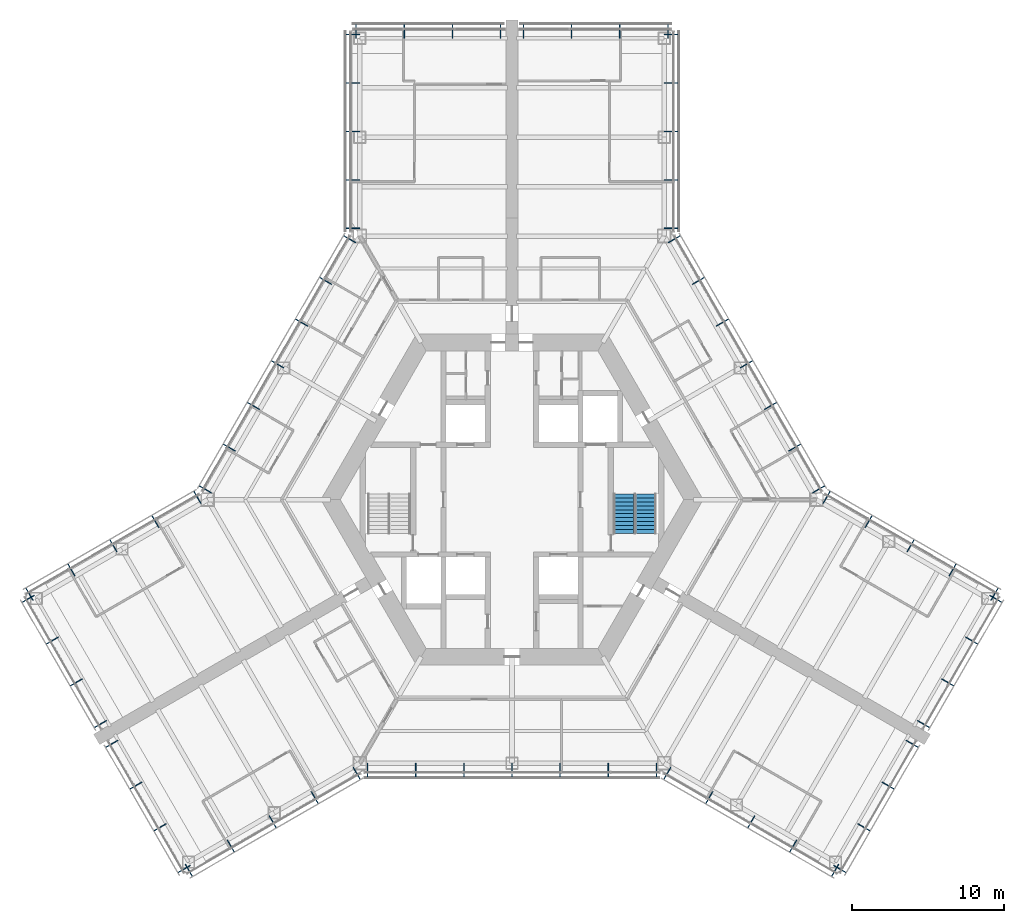
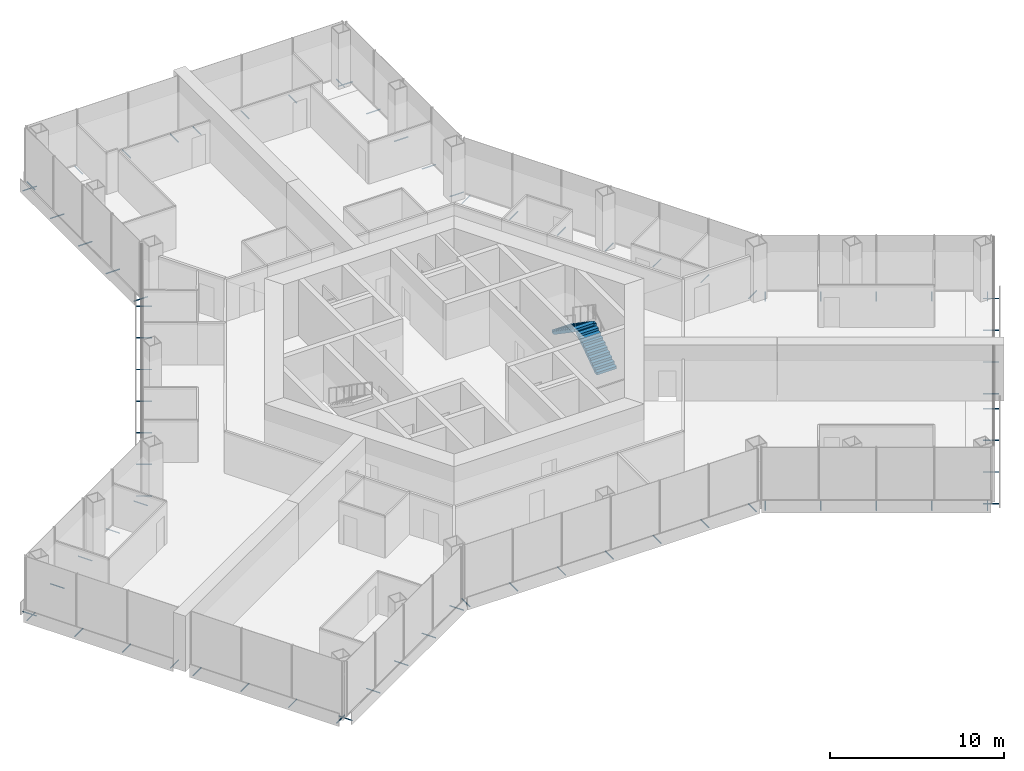
# One storey, part 16 of 18: 75 discrete accessories, 2 stair flights, 1 element without a shape of its own.
"""IFC4 building model written with IfcOpenShell, lengths in metres."""

from ifc_helpers import new_model, si_unit, direction, frame, origin, origin_2d, place, context, subcontext, project, spatial, polyline, hollow_circle, outline, extrude, material, material_profile, profile_set, type_object, element, aggregate, save


model = new_model("IFC4")

# Units and contexts
model_context = context("Model", 3, precision=1e-05, world=origin(), true_north=direction((0.0, 1.0)))
body_context = subcontext(model_context, "Body", "Model", "MODEL_VIEW")
ifc_project = project(units=[si_unit("LENGTHUNIT", "METRE"), si_unit("AREAUNIT", "SQUARE_METRE"), si_unit("VOLUMEUNIT", "CUBIC_METRE"), si_unit("PLANEANGLEUNIT", "RADIAN"), si_unit("MASSUNIT", "GRAM", prefix="KILO")], contexts=[model_context])

# Site, building, storey
site_placement = place(None, origin())
site = spatial("IfcSite", under=ifc_project, at=site_placement, CompositionType="ELEMENT")
building_placement = place(site_placement, origin())
building = spatial("IfcBuilding", under=site, at=building_placement, Name="Kasaneha Research Tower", CompositionType="ELEMENT")
storey_placement = place(building_placement, frame((0.0, 0.0, 69.0)))
storey = spatial("IfcBuildingStorey", under=building, at=storey_placement, Name="L17", CompositionType="ELEMENT", Elevation=69.0)

# Stair, stair flights
ifc_material_1 = material(Name="Concrete Fc24", Category="concrete")
stair_type = type_object("IfcStairType", Name="Half-turn stair 22 risers", PredefinedType="HALF_TURN_STAIR", material=ifc_material_1)
stair_placement = place(storey_placement, origin())
stair = element("IfcStair", 1, at=stair_placement, inside=storey, type_object=stair_type, Name="Stair 1 L17", PredefinedType="HALF_TURN_STAIR")
ifc_material_2 = material(Name="Concrete Fc24", Category="concrete")
stair_flight_type = type_object("IfcStairFlightType", Name="Stair flight 11 risers 177.3", PredefinedType="STRAIGHT", material=ifc_material_2)
stair_flight_1_placement = place(storey_placement, frame((8.824951171875, -2.22509765625, 0.0), z_axis=(0.0, 0.0, 1.0), x_axis=(0.0, 1.0, 0.0)))
stair_flight_1 = element("IfcStairFlight", 2, at=stair_flight_1_placement, type_object=stair_flight_type, Name="ST1-22R flight 1", NumberOfRisers=11, NumberOfTreads=10, PredefinedType="STRAIGHT", RiserHeight=0.177272727, TreadLength=0.26, context=body_context, shape_type="SweptSolid", body=[
    extrude(outline(polyline([(0.0, 0.0), (0.0, 0.17724609375), (0.260009765625, 0.17724609375), (0.260009765625, 0.3544921875), (0.52001953125, 0.3544921875), (0.52001953125, 0.53173828125), (0.780029296875, 0.53173828125), (0.780029296875, 0.708984375), (1.0400390625, 0.708984375), (1.0400390625, 0.886474609375), (1.300048828125, 0.886474609375), (1.300048828125, 1.063720703125), (1.56005859375, 1.063720703125), (1.56005859375, 1.240966796875), (1.820068359375, 1.240966796875), (1.820068359375, 1.418212890625), (2.080078125, 1.418212890625), (2.080078125, 1.595458984375), (2.340087890625, 1.595458984375), (2.340087890625, 1.772705078125), (2.60009765625, 1.772705078125), (2.60009765625, 1.949951171875), (2.60009765625, 1.59130859375), (0.26611328125, 0.0), (0.0, 0.0)])), frame((0.0, 0.64990234375, 0.0), z_axis=(0.0, -1.0, 0.0), x_axis=(1.0, 0.0, 0.0)), (0.0, 0.0, 1.0), 1.300048828125),
])
stair_flight_2_placement = place(storey_placement, frame((7.324951171875, 0.375, 1.949951171875), z_axis=(0.0, 0.0, 1.0), x_axis=(0.0, -1.0, 0.0)))
stair_flight_2 = element("IfcStairFlight", 3, at=stair_flight_2_placement, type_object=stair_flight_type, Name="ST1-22R flight 2", NumberOfRisers=11, NumberOfTreads=10, PredefinedType="STRAIGHT", RiserHeight=0.177272727, TreadLength=0.26, context=body_context, shape_type="SweptSolid", body=[
    extrude(outline(polyline([(0.0, 0.0), (0.0, 0.17724609375), (0.260009765625, 0.17724609375), (0.260009765625, 0.3544921875), (0.52001953125, 0.3544921875), (0.52001953125, 0.53173828125), (0.780029296875, 0.53173828125), (0.780029296875, 0.708984375), (1.0400390625, 0.708984375), (1.0400390625, 0.886474609375), (1.300048828125, 0.886474609375), (1.300048828125, 1.063720703125), (1.56005859375, 1.063720703125), (1.56005859375, 1.240966796875), (1.820068359375, 1.240966796875), (1.820068359375, 1.418212890625), (2.080078125, 1.418212890625), (2.080078125, 1.595458984375), (2.340087890625, 1.595458984375), (2.340087890625, 1.772705078125), (2.60009765625, 1.772705078125), (2.60009765625, 1.949951171875), (2.60009765625, 1.59130859375), (0.26611328125, 0.0), (0.0, 0.0)])), frame((0.0, 0.64990234375, 0.0), z_axis=(0.0, -1.0, 0.0), x_axis=(1.0, 0.0, 0.0)), (0.0, 0.0, 1.0), 1.300048828125),
])
aggregate(stair, [stair_flight_1, stair_flight_2])

# Discrete accessories
ifc_material_3 = material(Name="Steel STK400", Category="steel")
ifc_material_profile = material_profile(ifc_material_3, hollow_circle(Radius=0.0380859375, WallThickness=0.00390625, at=origin_2d()), Name="CHS-76.3x4.0")
ifc_profile_set = profile_set([ifc_material_profile], Name="Steel STK400")
discrete_accessory_type = type_object("IfcDiscreteAccessoryType", Name="Screen bracket CHS-76.3x4.0", PredefinedType="BRACKET", material=ifc_profile_set)
discrete_accessory_1_placement = place(storey_placement, frame((-21.474853515625, -23.945556640625, -0.300048828125), z_axis=(0.500021113727, -0.866013213425, 0.0), x_axis=(0.866013213425, 0.500021113727, 0.0)))
element("IfcDiscreteAccessory", 4, at=discrete_accessory_1_placement, inside=storey, type_object=discrete_accessory_type, Name="Screen bracket 1", PredefinedType="BRACKET", context=body_context, shape_type="SweptSolid", body=[
    extrude(hollow_circle(Radius=0.0380859375, WallThickness=0.00390625, at=origin_2d()), origin(), (0.0, 0.0, 1.0), 0.919921875),
])
discrete_accessory_2_placement = place(storey_placement, frame((-18.716796875, -22.35302734375, -0.300048828125), z_axis=(0.500105201737, -0.865964657013, 0.0), x_axis=(0.865964657013, 0.500105201737, 0.0)))
element("IfcDiscreteAccessory", 5, at=discrete_accessory_2_placement, inside=storey, type_object=discrete_accessory_type, Name="Screen bracket 2", PredefinedType="BRACKET", context=body_context, shape_type="SweptSolid", body=[
    extrude(hollow_circle(Radius=0.0380859375, WallThickness=0.00390625, at=origin_2d()), origin(), (0.0, 0.0, 1.0), 0.920166015625),
])
discrete_accessory_3_placement = place(storey_placement, frame((-15.95849609375, -20.7607421875, -0.300048828125), z_axis=(0.500021113727, -0.866013213425, 0.0), x_axis=(0.866013213425, 0.500021113727, 0.0)))
element("IfcDiscreteAccessory", 6, at=discrete_accessory_3_placement, inside=storey, type_object=discrete_accessory_type, Name="Screen bracket 3", PredefinedType="BRACKET", context=body_context, shape_type="SweptSolid", body=[
    extrude(hollow_circle(Radius=0.0380859375, WallThickness=0.00390625, at=origin_2d()), origin(), (0.0, 0.0, 1.0), 0.919921875),
])
discrete_accessory_4_placement = place(storey_placement, frame((-13.200439453125, -19.168212890625, -0.300048828125), z_axis=(0.499906209203, -0.866079547155, 0.0), x_axis=(0.866079547155, 0.499906209203, 0.0)))
element("IfcDiscreteAccessory", 7, at=discrete_accessory_4_placement, inside=storey, type_object=discrete_accessory_type, Name="Screen bracket 4", PredefinedType="BRACKET", context=body_context, shape_type="SweptSolid", body=[
    extrude(hollow_circle(Radius=0.0380859375, WallThickness=0.00390625, at=origin_2d()), origin(), (0.0, 0.0, 1.0), 0.920166015625),
])
for number, where, z_axis, x_axis, name in (
    (8, (-10.4423828125, -17.575927734375, -0.300048828125), (0.500021113727, -0.866013213425, 0.0), (0.866013213425, 0.500021113727, 0.0), "Screen bracket 5"),
    (9, (-9.4892578125, -17.320556640625, -0.300048828125), (0.0, -1.0, 0.0), (1.0, 0.0, 0.0), "Screen bracket 1"),
    (10, (-6.326171875, -17.320556640625, -0.300048828125), (0.0, -1.0, 0.0), (1.0, 0.0, 0.0), "Screen bracket 2"),
    (11, (-3.1630859375, -17.320556640625, -0.300048828125), (0.0, -1.0, 0.0), (1.0, 0.0, 0.0), "Screen bracket 3"),
    (12, (0.0, -17.320556640625, -0.300048828125), (0.0, -1.0, 0.0), (1.0, 0.0, 0.0), "Screen bracket 4"),
    (13, (3.1630859375, -17.320556640625, -0.300048828125), (0.0, -1.0, 0.0), (1.0, 0.0, 0.0), "Screen bracket 5"),
    (14, (6.326171875, -17.320556640625, -0.300048828125), (0.0, -1.0, 0.0), (1.0, 0.0, 0.0), "Screen bracket 6"),
    (15, (9.4892578125, -17.320556640625, -0.300048828125), (0.0, -1.0, 0.0), (1.0, 0.0, 0.0), "Screen bracket 7"),
    (16, (10.4423828125, -17.575927734375, -0.300048828125), (-0.500021113727, -0.866013213425, 0.0), (0.866013213425, -0.500021113727, 0.0), "Screen bracket 1"),
):
    element("IfcDiscreteAccessory", number, at=place(storey_placement, frame(where, z_axis=z_axis, x_axis=x_axis)), inside=storey, type_object=discrete_accessory_type, Name=name, PredefinedType="BRACKET", context=body_context, shape_type="SweptSolid", body=[
        extrude(hollow_circle(Radius=0.0380859375, WallThickness=0.00390625, at=origin_2d()), origin(), (0.0, 0.0, 1.0), 0.919921875),
    ])
discrete_accessory_5_placement = place(storey_placement, frame((13.200439453125, -19.168212890625, -0.300048828125), z_axis=(-0.499906209203, -0.866079547155, 0.0), x_axis=(0.866079547155, -0.499906209203, 0.0)))
element("IfcDiscreteAccessory", 17, at=discrete_accessory_5_placement, inside=storey, type_object=discrete_accessory_type, Name="Screen bracket 2", PredefinedType="BRACKET", context=body_context, shape_type="SweptSolid", body=[
    extrude(hollow_circle(Radius=0.0380859375, WallThickness=0.00390625, at=origin_2d()), origin(), (0.0, 0.0, 1.0), 0.920166015625),
])
discrete_accessory_6_placement = place(storey_placement, frame((15.95849609375, -20.7607421875, -0.300048828125), z_axis=(-0.500021113727, -0.866013213425, 0.0), x_axis=(0.866013213425, -0.500021113727, 0.0)))
element("IfcDiscreteAccessory", 18, at=discrete_accessory_6_placement, inside=storey, type_object=discrete_accessory_type, Name="Screen bracket 3", PredefinedType="BRACKET", context=body_context, shape_type="SweptSolid", body=[
    extrude(hollow_circle(Radius=0.0380859375, WallThickness=0.00390625, at=origin_2d()), origin(), (0.0, 0.0, 1.0), 0.919921875),
])
discrete_accessory_7_placement = place(storey_placement, frame((18.716796875, -22.35302734375, -0.300048828125), z_axis=(-0.500105201737, -0.865964657013, 0.0), x_axis=(0.865964657013, -0.500105201737, 0.0)))
element("IfcDiscreteAccessory", 19, at=discrete_accessory_7_placement, inside=storey, type_object=discrete_accessory_type, Name="Screen bracket 4", PredefinedType="BRACKET", context=body_context, shape_type="SweptSolid", body=[
    extrude(hollow_circle(Radius=0.0380859375, WallThickness=0.00390625, at=origin_2d()), origin(), (0.0, 0.0, 1.0), 0.920166015625),
])
discrete_accessory_8_placement = place(storey_placement, frame((21.474853515625, -23.945556640625, -0.300048828125), z_axis=(-0.500021113727, -0.866013213425, 0.0), x_axis=(0.866013213425, -0.500021113727, 0.0)))
element("IfcDiscreteAccessory", 20, at=discrete_accessory_8_placement, inside=storey, type_object=discrete_accessory_type, Name="Screen bracket 5", PredefinedType="BRACKET", context=body_context, shape_type="SweptSolid", body=[
    extrude(hollow_circle(Radius=0.0380859375, WallThickness=0.00390625, at=origin_2d()), origin(), (0.0, 0.0, 1.0), 0.919921875),
])
for number, where, z_axis, x_axis, name in (
    (21, (21.13330078125, -24.037109375, -0.300048828125), (0.866079547155, -0.499906209203, 0.0), (0.499906209203, 0.866079547155, 0.0), "Screen bracket 1"),
    (22, (22.716552734375, -21.294677734375, -0.300048828125), (0.866079547155, -0.499906209203, 0.0), (0.499906209203, 0.866079547155, 0.0), "Screen bracket 2"),
):
    element("IfcDiscreteAccessory", number, at=place(storey_placement, frame(where, z_axis=z_axis, x_axis=x_axis)), inside=storey, type_object=discrete_accessory_type, Name=name, PredefinedType="BRACKET", context=body_context, shape_type="SweptSolid", body=[
        extrude(hollow_circle(Radius=0.0380859375, WallThickness=0.00390625, at=origin_2d()), origin(), (0.0, 0.0, 1.0), 0.920166015625),
    ])
discrete_accessory_9_placement = place(storey_placement, frame((24.300048828125, -18.55224609375, -0.300048828125), z_axis=(0.866013213425, -0.500021113727, 0.0), x_axis=(0.500021113727, 0.866013213425, 0.0)))
element("IfcDiscreteAccessory", 23, at=discrete_accessory_9_placement, inside=storey, type_object=discrete_accessory_type, Name="Screen bracket 3", PredefinedType="BRACKET", context=body_context, shape_type="SweptSolid", body=[
    extrude(hollow_circle(Radius=0.0380859375, WallThickness=0.00390625, at=origin_2d()), origin(), (0.0, 0.0, 1.0), 0.919921875),
])
for number, where, z_axis, x_axis, name in (
    (24, (25.88330078125, -15.809814453125, -0.300048828125), (0.866079547155, -0.499906209203, 0.0), (0.499906209203, 0.866079547155, 0.0), "Screen bracket 4"),
    (25, (26.63330078125, -14.5107421875, -0.300048828125), (0.866079547155, -0.499906209203, 0.0), (0.499906209203, 0.866079547155, 0.0), "Screen bracket 1"),
    (26, (28.216552734375, -11.768310546875, -0.300048828125), (0.866079547155, -0.499906209203, 0.0), (0.499906209203, 0.866079547155, 0.0), "Screen bracket 2"),
):
    element("IfcDiscreteAccessory", number, at=place(storey_placement, frame(where, z_axis=z_axis, x_axis=x_axis)), inside=storey, type_object=discrete_accessory_type, Name=name, PredefinedType="BRACKET", context=body_context, shape_type="SweptSolid", body=[
        extrude(hollow_circle(Radius=0.0380859375, WallThickness=0.00390625, at=origin_2d()), origin(), (0.0, 0.0, 1.0), 0.920166015625),
    ])
discrete_accessory_10_placement = place(storey_placement, frame((29.800048828125, -9.02587890625, -0.300048828125), z_axis=(0.866013213425, -0.500021113727, 0.0), x_axis=(0.500021113727, 0.866013213425, 0.0)))
element("IfcDiscreteAccessory", 27, at=discrete_accessory_10_placement, inside=storey, type_object=discrete_accessory_type, Name="Screen bracket 3", PredefinedType="BRACKET", context=body_context, shape_type="SweptSolid", body=[
    extrude(hollow_circle(Radius=0.0380859375, WallThickness=0.00390625, at=origin_2d()), origin(), (0.0, 0.0, 1.0), 0.919921875),
])
discrete_accessory_11_placement = place(storey_placement, frame((31.38330078125, -6.283447265625, -0.300048828125), z_axis=(0.866079547155, -0.499906209203, 0.0), x_axis=(0.499906209203, 0.866079547155, 0.0)))
element("IfcDiscreteAccessory", 28, at=discrete_accessory_11_placement, inside=storey, type_object=discrete_accessory_type, Name="Screen bracket 4", PredefinedType="BRACKET", context=body_context, shape_type="SweptSolid", body=[
    extrude(hollow_circle(Radius=0.0380859375, WallThickness=0.00390625, at=origin_2d()), origin(), (0.0, 0.0, 1.0), 0.920166015625),
])
discrete_accessory_12_placement = place(storey_placement, frame((31.474853515625, -6.625, -0.300048828125), z_axis=(0.500021113727, 0.866013213425, 0.0), x_axis=(-0.866013213425, 0.500021113727, 0.0)))
element("IfcDiscreteAccessory", 29, at=discrete_accessory_12_placement, inside=storey, type_object=discrete_accessory_type, Name="Screen bracket 1", PredefinedType="BRACKET", context=body_context, shape_type="SweptSolid", body=[
    extrude(hollow_circle(Radius=0.0380859375, WallThickness=0.00390625, at=origin_2d()), origin(), (0.0, 0.0, 1.0), 0.919921875),
])
discrete_accessory_13_placement = place(storey_placement, frame((28.716796875, -5.03271484375, -0.300048828125), z_axis=(0.499906209203, 0.866079547155, 0.0), x_axis=(-0.866079547155, 0.499906209203, 0.0)))
element("IfcDiscreteAccessory", 30, at=discrete_accessory_13_placement, inside=storey, type_object=discrete_accessory_type, Name="Screen bracket 2", PredefinedType="BRACKET", context=body_context, shape_type="SweptSolid", body=[
    extrude(hollow_circle(Radius=0.0380859375, WallThickness=0.00390625, at=origin_2d()), origin(), (0.0, 0.0, 1.0), 0.920166015625),
])
discrete_accessory_14_placement = place(storey_placement, frame((25.95849609375, -3.440185546875, -0.300048828125), z_axis=(0.500220121494, 0.865898279276, 0.0), x_axis=(-0.865898279276, 0.500220121494, 0.0)))
element("IfcDiscreteAccessory", 31, at=discrete_accessory_14_placement, inside=storey, type_object=discrete_accessory_type, Name="Screen bracket 3", PredefinedType="BRACKET", context=body_context, shape_type="SweptSolid", body=[
    extrude(hollow_circle(Radius=0.0380859375, WallThickness=0.00390625, at=origin_2d()), origin(), (0.0, 0.0, 1.0), 0.919921875),
])
discrete_accessory_15_placement = place(storey_placement, frame((23.200439453125, -1.847900390625, -0.300048828125), z_axis=(0.499906209203, 0.866079547155, 0.0), x_axis=(-0.866079547155, 0.499906209203, 0.0)))
element("IfcDiscreteAccessory", 32, at=discrete_accessory_15_placement, inside=storey, type_object=discrete_accessory_type, Name="Screen bracket 4", PredefinedType="BRACKET", context=body_context, shape_type="SweptSolid", body=[
    extrude(hollow_circle(Radius=0.0380859375, WallThickness=0.00390625, at=origin_2d()), origin(), (0.0, 0.0, 1.0), 0.920166015625),
])
for number, where, z_axis, x_axis, name in (
    (33, (20.4423828125, -0.25537109375, -0.300048828125), (0.500021113727, 0.866013213425, 0.0), (-0.866013213425, 0.500021113727, 0.0), "Screen bracket 5"),
    (34, (19.74462890625, 0.4423828125, -0.300048828125), (0.866013213425, 0.500021113727, 0.0), (-0.500021113727, 0.866013213425, 0.0), "Screen bracket 1"),
    (35, (18.1630859375, 3.181640625, -0.300048828125), (0.866013213425, 0.500021113727, 0.0), (-0.500021113727, 0.866013213425, 0.0), "Screen bracket 2"),
    (36, (16.58154296875, 5.9208984375, -0.300048828125), (0.866013213425, 0.500021113727, 0.0), (-0.500021113727, 0.866013213425, 0.0), "Screen bracket 3"),
    (37, (15.0, 8.66015625, -0.300048828125), (0.865898279276, 0.500220121494, 0.0), (-0.500220121494, 0.865898279276, 0.0), "Screen bracket 4"),
    (38, (13.41845703125, 11.399658203125, -0.300048828125), (0.866013213425, 0.500021113727, 0.0), (-0.500021113727, 0.866013213425, 0.0), "Screen bracket 5"),
    (39, (11.8369140625, 14.138916015625, -0.300048828125), (0.866013213425, 0.500021113727, 0.0), (-0.500021113727, 0.866013213425, 0.0), "Screen bracket 6"),
):
    element("IfcDiscreteAccessory", number, at=place(storey_placement, frame(where, z_axis=z_axis, x_axis=x_axis)), inside=storey, type_object=discrete_accessory_type, Name=name, PredefinedType="BRACKET", context=body_context, shape_type="SweptSolid", body=[
        extrude(hollow_circle(Radius=0.0380859375, WallThickness=0.00390625, at=origin_2d()), origin(), (0.0, 0.0, 1.0), 0.919921875),
    ])
discrete_accessory_16_placement = place(storey_placement, frame((10.25537109375, 16.878173828125, -0.300048828125), z_axis=(0.866079547155, 0.499906209203, 0.0), x_axis=(-0.499906209203, 0.866079547155, 0.0)))
element("IfcDiscreteAccessory", 40, at=discrete_accessory_16_placement, inside=storey, type_object=discrete_accessory_type, Name="Screen bracket 7", PredefinedType="BRACKET", context=body_context, shape_type="SweptSolid", body=[
    extrude(hollow_circle(Radius=0.0380859375, WallThickness=0.00390625, at=origin_2d()), origin(), (0.0, 0.0, 1.0), 0.920166015625),
])
for number, where, z_axis, x_axis, name in (
    (41, (10.0, 17.831298828125, -0.300048828125), (1.0, 0.0, 0.0), (0.0, 1.0, 0.0), "Screen bracket 1"),
    (42, (10.0, 21.01611328125, -0.300048828125), (1.0, 0.0, 0.0), (0.0, 1.0, 0.0), "Screen bracket 2"),
    (43, (10.0, 24.200927734375, -0.300048828125), (1.0, 0.0, 0.0), (0.0, 1.0, 0.0), "Screen bracket 3"),
    (44, (10.0, 27.3857421875, -0.300048828125), (1.0, 0.0, 0.0), (0.0, 1.0, 0.0), "Screen bracket 4"),
    (45, (10.0, 30.570556640625, -0.300048828125), (1.0, 0.0, 0.0), (0.0, 1.0, 0.0), "Screen bracket 5"),
    (46, (10.25, 30.320556640625, -0.300048828125), (0.0, 1.0, 0.0), (-1.0, 0.0, 0.0), "Screen bracket 1"),
    (47, (7.083251953125, 30.320556640625, -0.300048828125), (0.0, 1.0, 0.0), (-1.0, 0.0, 0.0), "Screen bracket 2"),
    (48, (3.916748046875, 30.320556640625, -0.300048828125), (0.0, 1.0, 0.0), (-1.0, 0.0, 0.0), "Screen bracket 3"),
    (49, (0.75, 30.320556640625, -0.300048828125), (0.0, 1.0, 0.0), (-1.0, 0.0, 0.0), "Screen bracket 4"),
    (50, (-0.75, 30.320556640625, -0.300048828125), (0.0, 1.0, 0.0), (-1.0, 0.0, 0.0), "Screen bracket 1"),
    (51, (-3.916748046875, 30.320556640625, -0.300048828125), (0.0, 1.0, 0.0), (-1.0, 0.0, 0.0), "Screen bracket 2"),
    (52, (-7.083251953125, 30.320556640625, -0.300048828125), (0.0, 1.0, 0.0), (-1.0, 0.0, 0.0), "Screen bracket 3"),
    (53, (-10.25, 30.320556640625, -0.300048828125), (0.0, 1.0, 0.0), (-1.0, 0.0, 0.0), "Screen bracket 4"),
    (54, (-10.0, 30.570556640625, -0.300048828125), (-1.0, 0.0, 0.0), (0.0, -1.0, 0.0), "Screen bracket 1"),
    (55, (-10.0, 27.3857421875, -0.300048828125), (-1.0, 0.0, 0.0), (0.0, -1.0, 0.0), "Screen bracket 2"),
    (56, (-10.0, 24.200927734375, -0.300048828125), (-1.0, 0.0, 0.0), (0.0, -1.0, 0.0), "Screen bracket 3"),
    (57, (-10.0, 21.01611328125, -0.300048828125), (-1.0, 0.0, 0.0), (0.0, -1.0, 0.0), "Screen bracket 4"),
    (58, (-10.0, 17.831298828125, -0.300048828125), (-1.0, 0.0, 0.0), (0.0, -1.0, 0.0), "Screen bracket 5"),
):
    element("IfcDiscreteAccessory", number, at=place(storey_placement, frame(where, z_axis=z_axis, x_axis=x_axis)), inside=storey, type_object=discrete_accessory_type, Name=name, PredefinedType="BRACKET", context=body_context, shape_type="SweptSolid", body=[
        extrude(hollow_circle(Radius=0.0380859375, WallThickness=0.00390625, at=origin_2d()), origin(), (0.0, 0.0, 1.0), 0.919921875),
    ])
discrete_accessory_17_placement = place(storey_placement, frame((-10.25537109375, 16.878173828125, -0.300048828125), z_axis=(-0.866079547155, 0.499906209203, 0.0), x_axis=(-0.499906209203, -0.866079547155, 0.0)))
element("IfcDiscreteAccessory", 59, at=discrete_accessory_17_placement, inside=storey, type_object=discrete_accessory_type, Name="Screen bracket 1", PredefinedType="BRACKET", context=body_context, shape_type="SweptSolid", body=[
    extrude(hollow_circle(Radius=0.0380859375, WallThickness=0.00390625, at=origin_2d()), origin(), (0.0, 0.0, 1.0), 0.920166015625),
])
for number, where, z_axis, x_axis, name in (
    (60, (-11.8369140625, 14.138916015625, -0.300048828125), (-0.866013213425, 0.500021113727, 0.0), (-0.500021113727, -0.866013213425, 0.0), "Screen bracket 2"),
    (61, (-13.41845703125, 11.399658203125, -0.300048828125), (-0.866013213425, 0.500021113727, 0.0), (-0.500021113727, -0.866013213425, 0.0), "Screen bracket 3"),
    (62, (-15.0, 8.66015625, -0.300048828125), (-0.865898279276, 0.500220121494, 0.0), (-0.500220121494, -0.865898279276, 0.0), "Screen bracket 4"),
    (63, (-16.58154296875, 5.9208984375, -0.300048828125), (-0.866013213425, 0.500021113727, 0.0), (-0.500021113727, -0.866013213425, 0.0), "Screen bracket 5"),
    (64, (-18.1630859375, 3.181640625, -0.300048828125), (-0.866013213425, 0.500021113727, 0.0), (-0.500021113727, -0.866013213425, 0.0), "Screen bracket 6"),
    (65, (-19.74462890625, 0.4423828125, -0.300048828125), (-0.866013213425, 0.500021113727, 0.0), (-0.500021113727, -0.866013213425, 0.0), "Screen bracket 7"),
    (66, (-20.4423828125, -0.25537109375, -0.300048828125), (-0.500021113727, 0.866013213425, 0.0), (-0.866013213425, -0.500021113727, 0.0), "Screen bracket 1"),
):
    element("IfcDiscreteAccessory", number, at=place(storey_placement, frame(where, z_axis=z_axis, x_axis=x_axis)), inside=storey, type_object=discrete_accessory_type, Name=name, PredefinedType="BRACKET", context=body_context, shape_type="SweptSolid", body=[
        extrude(hollow_circle(Radius=0.0380859375, WallThickness=0.00390625, at=origin_2d()), origin(), (0.0, 0.0, 1.0), 0.919921875),
    ])
discrete_accessory_18_placement = place(storey_placement, frame((-23.200439453125, -1.847900390625, -0.300048828125), z_axis=(-0.499906209203, 0.866079547155, 0.0), x_axis=(-0.866079547155, -0.499906209203, 0.0)))
element("IfcDiscreteAccessory", 67, at=discrete_accessory_18_placement, inside=storey, type_object=discrete_accessory_type, Name="Screen bracket 2", PredefinedType="BRACKET", context=body_context, shape_type="SweptSolid", body=[
    extrude(hollow_circle(Radius=0.0380859375, WallThickness=0.00390625, at=origin_2d()), origin(), (0.0, 0.0, 1.0), 0.920166015625),
])
discrete_accessory_19_placement = place(storey_placement, frame((-25.95849609375, -3.440185546875, -0.300048828125), z_axis=(-0.500220121494, 0.865898279276, 0.0), x_axis=(-0.865898279276, -0.500220121494, 0.0)))
element("IfcDiscreteAccessory", 68, at=discrete_accessory_19_placement, inside=storey, type_object=discrete_accessory_type, Name="Screen bracket 3", PredefinedType="BRACKET", context=body_context, shape_type="SweptSolid", body=[
    extrude(hollow_circle(Radius=0.0380859375, WallThickness=0.00390625, at=origin_2d()), origin(), (0.0, 0.0, 1.0), 0.919921875),
])
discrete_accessory_20_placement = place(storey_placement, frame((-28.716796875, -5.03271484375, -0.300048828125), z_axis=(-0.499906209203, 0.866079547155, 0.0), x_axis=(-0.866079547155, -0.499906209203, 0.0)))
element("IfcDiscreteAccessory", 69, at=discrete_accessory_20_placement, inside=storey, type_object=discrete_accessory_type, Name="Screen bracket 4", PredefinedType="BRACKET", context=body_context, shape_type="SweptSolid", body=[
    extrude(hollow_circle(Radius=0.0380859375, WallThickness=0.00390625, at=origin_2d()), origin(), (0.0, 0.0, 1.0), 0.920166015625),
])
discrete_accessory_21_placement = place(storey_placement, frame((-31.474853515625, -6.625, -0.300048828125), z_axis=(-0.500021113727, 0.866013213425, 0.0), x_axis=(-0.866013213425, -0.500021113727, 0.0)))
element("IfcDiscreteAccessory", 70, at=discrete_accessory_21_placement, inside=storey, type_object=discrete_accessory_type, Name="Screen bracket 5", PredefinedType="BRACKET", context=body_context, shape_type="SweptSolid", body=[
    extrude(hollow_circle(Radius=0.0380859375, WallThickness=0.00390625, at=origin_2d()), origin(), (0.0, 0.0, 1.0), 0.919921875),
])
discrete_accessory_22_placement = place(storey_placement, frame((-31.38330078125, -6.283447265625, -0.300048828125), z_axis=(-0.866079547155, -0.499906209203, 0.0), x_axis=(0.499906209203, -0.866079547155, 0.0)))
element("IfcDiscreteAccessory", 71, at=discrete_accessory_22_placement, inside=storey, type_object=discrete_accessory_type, Name="Screen bracket 1", PredefinedType="BRACKET", context=body_context, shape_type="SweptSolid", body=[
    extrude(hollow_circle(Radius=0.0380859375, WallThickness=0.00390625, at=origin_2d()), origin(), (0.0, 0.0, 1.0), 0.920166015625),
])
discrete_accessory_23_placement = place(storey_placement, frame((-29.800048828125, -9.02587890625, -0.300048828125), z_axis=(-0.866013213425, -0.500021113727, 0.0), x_axis=(0.500021113727, -0.866013213425, 0.0)))
element("IfcDiscreteAccessory", 72, at=discrete_accessory_23_placement, inside=storey, type_object=discrete_accessory_type, Name="Screen bracket 2", PredefinedType="BRACKET", context=body_context, shape_type="SweptSolid", body=[
    extrude(hollow_circle(Radius=0.0380859375, WallThickness=0.00390625, at=origin_2d()), origin(), (0.0, 0.0, 1.0), 0.919921875),
])
for number, where, z_axis, x_axis, name in (
    (73, (-28.216552734375, -11.768310546875, -0.300048828125), (-0.866079547155, -0.499906209203, 0.0), (0.499906209203, -0.866079547155, 0.0), "Screen bracket 3"),
    (74, (-26.63330078125, -14.5107421875, -0.300048828125), (-0.866079547155, -0.499906209203, 0.0), (0.499906209203, -0.866079547155, 0.0), "Screen bracket 4"),
    (75, (-25.88330078125, -15.809814453125, -0.300048828125), (-0.866079547155, -0.499906209203, 0.0), (0.499906209203, -0.866079547155, 0.0), "Screen bracket 1"),
):
    element("IfcDiscreteAccessory", number, at=place(storey_placement, frame(where, z_axis=z_axis, x_axis=x_axis)), inside=storey, type_object=discrete_accessory_type, Name=name, PredefinedType="BRACKET", context=body_context, shape_type="SweptSolid", body=[
        extrude(hollow_circle(Radius=0.0380859375, WallThickness=0.00390625, at=origin_2d()), origin(), (0.0, 0.0, 1.0), 0.920166015625),
    ])
discrete_accessory_24_placement = place(storey_placement, frame((-24.300048828125, -18.55224609375, -0.300048828125), z_axis=(-0.866013213425, -0.500021113727, 0.0), x_axis=(0.500021113727, -0.866013213425, 0.0)))
element("IfcDiscreteAccessory", 76, at=discrete_accessory_24_placement, inside=storey, type_object=discrete_accessory_type, Name="Screen bracket 2", PredefinedType="BRACKET", context=body_context, shape_type="SweptSolid", body=[
    extrude(hollow_circle(Radius=0.0380859375, WallThickness=0.00390625, at=origin_2d()), origin(), (0.0, 0.0, 1.0), 0.919921875),
])
for number, where, z_axis, x_axis, name in (
    (77, (-22.716552734375, -21.294677734375, -0.300048828125), (-0.866079547155, -0.499906209203, 0.0), (0.499906209203, -0.866079547155, 0.0), "Screen bracket 3"),
    (78, (-21.13330078125, -24.037109375, -0.300048828125), (-0.866079547155, -0.499906209203, 0.0), (0.499906209203, -0.866079547155, 0.0), "Screen bracket 4"),
):
    element("IfcDiscreteAccessory", number, at=place(storey_placement, frame(where, z_axis=z_axis, x_axis=x_axis)), inside=storey, type_object=discrete_accessory_type, Name=name, PredefinedType="BRACKET", context=body_context, shape_type="SweptSolid", body=[
        extrude(hollow_circle(Radius=0.0380859375, WallThickness=0.00390625, at=origin_2d()), origin(), (0.0, 0.0, 1.0), 0.920166015625),
    ])

save(model, "model.ifc")
